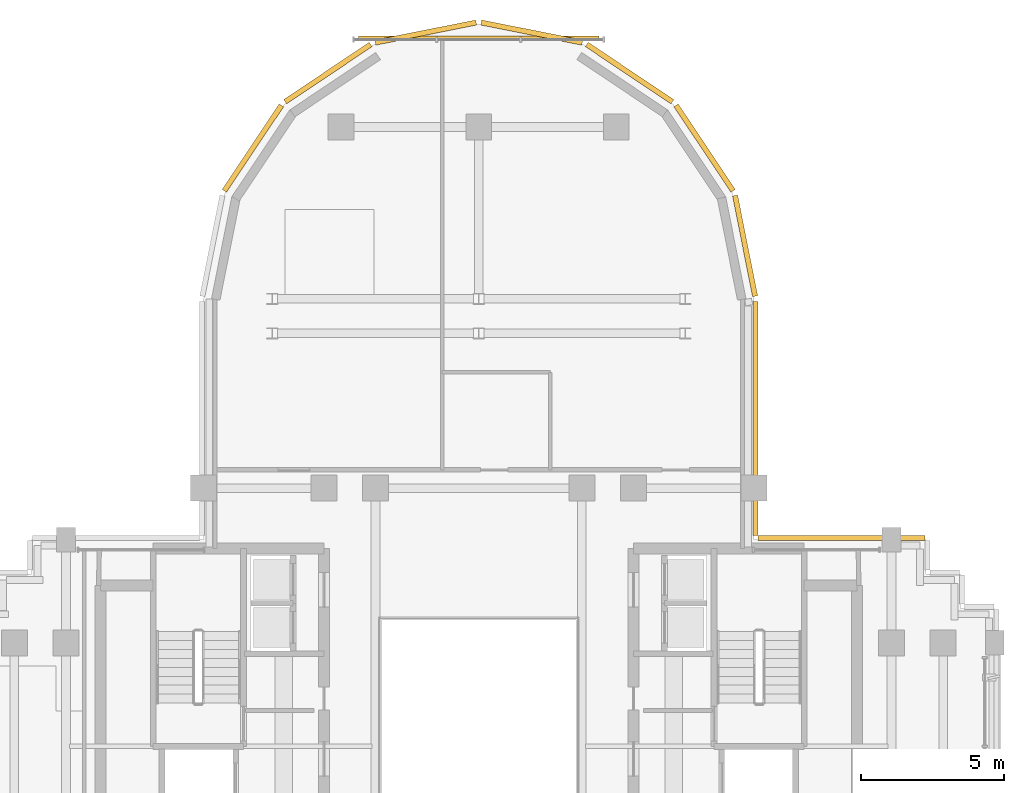
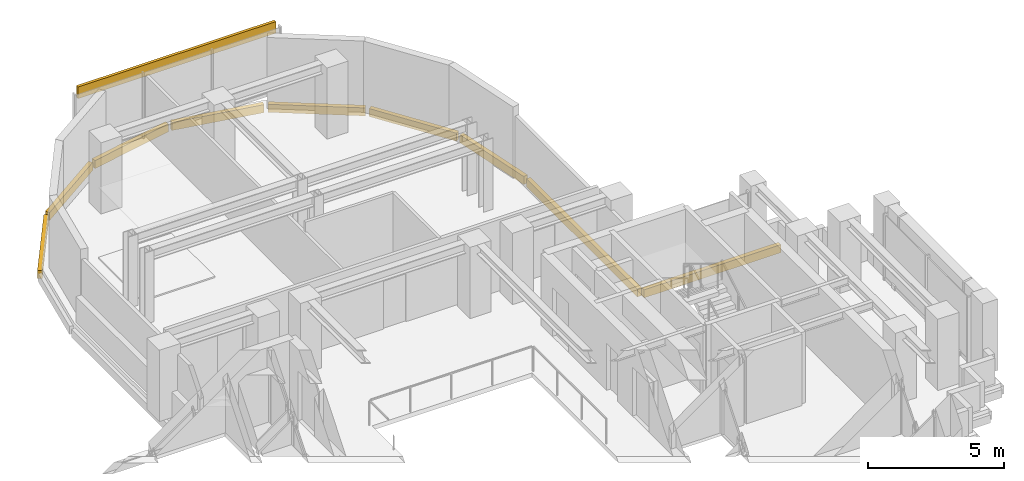
# One storey, part 11 of 12: 10 coverings.
"""IFC4 building model written with IfcOpenShell, lengths in metres."""

from ifc_helpers import new_model, si_unit, direction, frame, origin, origin_2d, place, context, subcontext, project, spatial, rectangle, extrude, source, transform, mapped, material, layer, layer_set, type_object, element, save


model = new_model("IFC4")

# Units and contexts
model_context = context("Model", 3, precision=1e-05, world=origin(), true_north=direction((0.0, 1.0)))
body_context = subcontext(model_context, "Body", "Model", "MODEL_VIEW")
ifc_project = project(units=[si_unit("LENGTHUNIT", "METRE"), si_unit("AREAUNIT", "SQUARE_METRE"), si_unit("VOLUMEUNIT", "CUBIC_METRE"), si_unit("PLANEANGLEUNIT", "RADIAN"), si_unit("MASSUNIT", "GRAM", prefix="KILO")], contexts=[model_context])

# Site, building, storey
site_placement = place(None, origin())
site = spatial("IfcSite", under=ifc_project, at=site_placement, CompositionType="ELEMENT")
building_placement = place(site_placement, origin())
building = spatial("IfcBuilding", under=site, at=building_placement, Name="Keilestroom Media Tower", CompositionType="ELEMENT")
storey_placement = place(building_placement, frame((0.0, 0.0, 177.39990234375)))
storey = spatial("IfcBuildingStorey", under=building, at=storey_placement, Name="L48", CompositionType="ELEMENT", Elevation=177.39990234375)

# Coverings
ifc_material = material(Name="Precast concrete C40/50", Category="concrete")
ifc_layer = layer(ifc_material, 0.1201171875)
ifc_layer_set = layer_set([ifc_layer], Name="Precast concrete C40/50")
covering_type = type_object("IfcCoveringType", Name="Exterior-Precast-Spandrel-Cladding-Panel-120", PredefinedType="CLADDING", material=ifc_layer_set)
shared_shape_1 = source(origin(), body_context, "Body", "SweptSolid", [
    extrude(rectangle(XDim=8.39990234375, YDim=0.1201171875, at=origin_2d()), origin(), (0.0, 0.0, 1.0), 0.52001953125),
])
covering_1_placement = place(storey_placement, frame((0.0, 24.719970703125, 2.690185546875), z_axis=(0.0, 0.0, 1.0), x_axis=(1.0, 0.0, 0.0)))
element("IfcCovering", 1, at=covering_1_placement, inside=storey, type_object=covering_type, Name="L48 Precast Spandrel Cladding N", PredefinedType="CLADDING", context=body_context, shape_type="MappedRepresentation", body=[
    mapped(shared_shape_1, transform((0.0, 0.0, 0.0), x_axis=(1.0, 0.0, 0.0), y_axis=(0.0, 1.0, 0.0), z_axis=(0.0, 0.0, 1.0), scale=1.0)),
])
shared_shape_2 = source(origin(), body_context, "Body", "SweptSolid", [
    extrude(rectangle(XDim=8.166015625, YDim=0.179931640625, at=origin_2d()), origin(), (0.0, 0.0, 1.0), 0.360107421875),
])
covering_2_placement = place(storey_placement, frame((9.659912109375, 11.43310546875, -0.5400390625), z_axis=(0.0, 0.0, 1.0), x_axis=(0.0, -1.0, 0.0)))
element("IfcCovering", 2, at=covering_2_placement, inside=storey, type_object=covering_type, Name="L48 Precast Slab-Edge Fascia Cornice 36", PredefinedType="CLADDING", context=body_context, shape_type="MappedRepresentation", body=[
    mapped(shared_shape_2, transform((0.0, 0.0, 0.0), x_axis=(1.0, 0.0, 0.0), y_axis=(0.0, 1.0, 0.0), z_axis=(0.0, 0.0, 1.0), scale=1.0)),
])
shared_shape_3 = source(origin(), body_context, "Body", "SweptSolid", [
    extrude(rectangle(XDim=3.58349609375, YDim=0.179931640625, at=origin_2d()), origin(), (0.0, 0.0, 1.0), 0.360107421875),
])
covering_3_placement = place(storey_placement, frame((9.29296875, 17.45166015625, -0.5400390625), z_axis=(0.0, 0.0, 1.0), x_axis=(0.195098880975, -0.980783577882, 0.0)))
element("IfcCovering", 3, at=covering_3_placement, inside=storey, type_object=covering_type, Name="L48 Precast Slab-Edge Fascia Cornice 35", PredefinedType="CLADDING", context=body_context, shape_type="MappedRepresentation", body=[
    mapped(shared_shape_3, transform((0.0, 0.0, 0.0), x_axis=(1.0, 0.0, 0.0), y_axis=(0.0, 1.0, 0.0), z_axis=(0.0, 0.0, 1.0), scale=1.0)),
])
shared_shape_4 = source(origin(), body_context, "Body", "SweptSolid", [
    extrude(rectangle(XDim=3.589599609375, YDim=0.179931640625, at=origin_2d()), origin(), (0.0, 0.0, 1.0), 0.360107421875),
])
for number, where, z_axis, x_axis, name in (
    (4, (-7.878662109375, 20.8642578125, -0.5400390625), (0.0, 0.0, 1.0), (0.555574586577, 0.831466703332, 0.0), "L48 Precast Slab-Edge Fascia Cornice 29"),
    (5, (-5.264404296875, 23.478515625, -0.5400390625), (0.0, 0.0, 1.0), (0.831466703332, 0.555574586577, 0.0), "L48 Precast Slab-Edge Fascia Cornice 30"),
    (6, (-1.8486328125, 24.893310546875, -0.5400390625), (0.0, 0.0, 1.0), (0.980783577882, 0.195098880975, 0.0), "L48 Precast Slab-Edge Fascia Cornice 31"),
    (7, (1.8486328125, 24.893310546875, -0.5400390625), (0.0, 0.0, 1.0), (0.980783577882, -0.195098880975, 0.0), "L48 Precast Slab-Edge Fascia Cornice 32"),
    (8, (5.264404296875, 23.478515625, -0.5400390625), (0.0, 0.0, 1.0), (0.831466703332, -0.555574586577, 0.0), "L48 Precast Slab-Edge Fascia Cornice 33"),
    (9, (7.878662109375, 20.8642578125, -0.5400390625), (0.0, 0.0, 1.0), (0.555574586577, -0.831466703332, 0.0), "L48 Precast Slab-Edge Fascia Cornice 34"),
):
    element("IfcCovering", number, at=place(storey_placement, frame(where, z_axis=z_axis, x_axis=x_axis)), inside=storey, type_object=covering_type, Name=name, PredefinedType="CLADDING", context=body_context, shape_type="MappedRepresentation", body=[
        mapped(shared_shape_4, transform((0.0, 0.0, 0.0), x_axis=(1.0, 0.0, 0.0), y_axis=(0.0, 1.0, 0.0), z_axis=(0.0, 0.0, 1.0), scale=1.0)),
    ])
shared_shape_5 = source(origin(), body_context, "Body", "SweptSolid", [
    extrude(rectangle(XDim=5.820068359375, YDim=0.179931640625, at=origin_2d()), origin(), (0.0, 0.0, 1.0), 0.360107421875),
])
covering_4_placement = place(storey_placement, frame((12.659912109375, 7.260009765625, -0.5400390625), z_axis=(0.0, 0.0, 1.0), x_axis=(1.0, 0.0, 0.0)))
element("IfcCovering", 10, at=covering_4_placement, inside=storey, type_object=covering_type, Name="L48 Precast Slab-Edge Fascia Cornice 37", PredefinedType="CLADDING", context=body_context, shape_type="MappedRepresentation", body=[
    mapped(shared_shape_5, transform((0.0, 0.0, 0.0), x_axis=(1.0, 0.0, 0.0), y_axis=(0.0, 1.0, 0.0), z_axis=(0.0, 0.0, 1.0), scale=1.0)),
])

save(model, "model.ifc")
